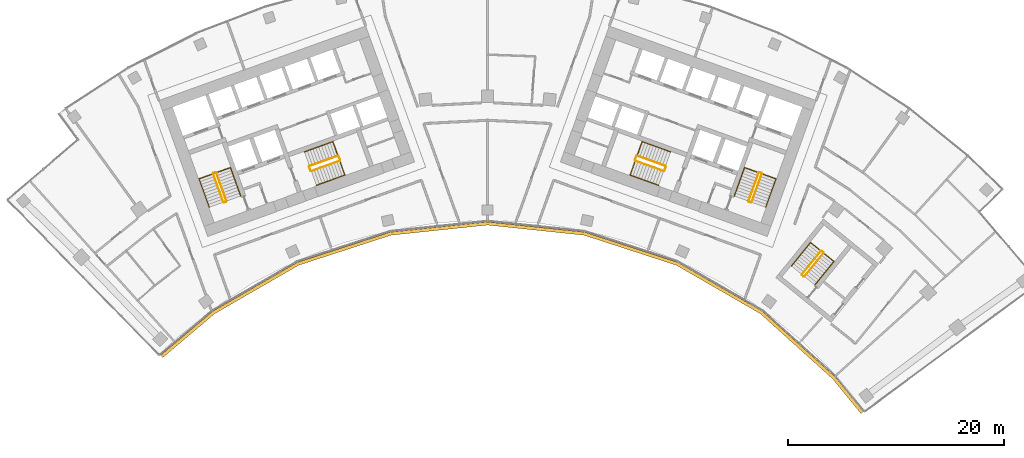
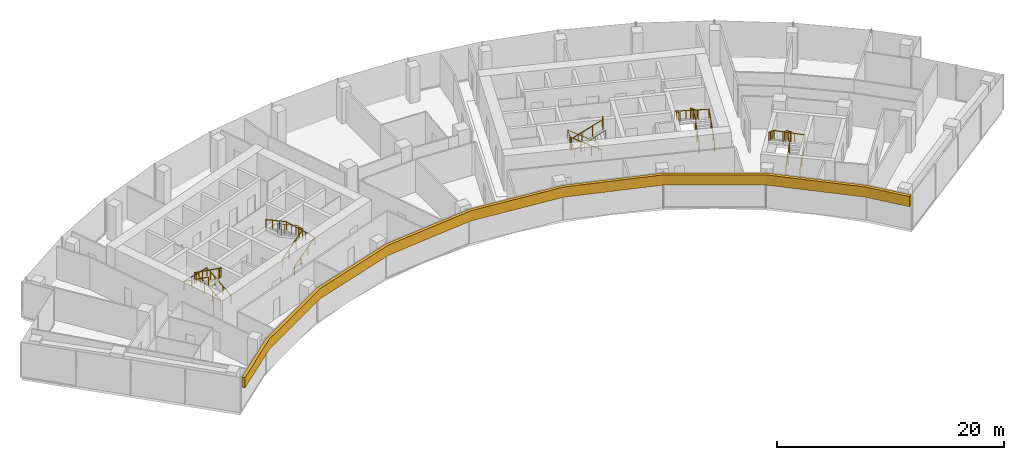
# One storey, part 18 of 18: 15 railings, 1 covering.
"""IFC4 building model written with IfcOpenShell, lengths in metres."""

from ifc_helpers import new_model, si_unit, direction, frame, origin, origin_2d, place, context, subcontext, project, spatial, polyline, circle, outline, extrude, material, layer, layer_set, type_object, element, save


model = new_model("IFC4")

# Units and contexts
model_context = context("Model", 3, precision=1e-05, world=origin(), true_north=direction((0.0, 1.0)))
body_context = subcontext(model_context, "Body", "Model", "MODEL_VIEW")
ifc_project = project(units=[si_unit("LENGTHUNIT", "METRE"), si_unit("AREAUNIT", "SQUARE_METRE"), si_unit("VOLUMEUNIT", "CUBIC_METRE"), si_unit("PLANEANGLEUNIT", "RADIAN"), si_unit("MASSUNIT", "GRAM", prefix="KILO")], contexts=[model_context])

# Site, building, storey
site_placement = place(None, origin())
site = spatial("IfcSite", under=ifc_project, at=site_placement, CompositionType="ELEMENT")
building_placement = place(site_placement, origin())
building = spatial("IfcBuilding", under=site, at=building_placement, Name="Stone Belt Terrace Tower", CompositionType="ELEMENT")
storey_placement = place(building_placement, frame((0.0, 0.0, 220.0)))
storey = spatial("IfcBuildingStorey", under=building, at=storey_placement, Name="L53", CompositionType="ELEMENT", Elevation=220.0)

# Railings
ifc_material_1 = material(Name="Structural steel C345", Category="steel")
railing_type_1 = type_object("IfcRailingType", Name="Stair guard 1100", PredefinedType="GUARDRAIL", material=ifc_material_1)
railing_1_placement = place(storey_placement, frame((-24.2119140625, 45.276123046875, 0.172607421875)))
element("IfcRailing", 1, at=railing_1_placement, inside=storey, type_object=railing_type_1, Name="L53 ST1A stair guard 1", PredefinedType="GUARDRAIL", context=body_context, shape_type="SweptSolid", body=[
    extrude(circle(Radius=0.02392578125, at=origin_2d()), frame((0.0, 0.0, 1.076171875), z_axis=(-0.288228637646, 0.800791768495, 0.525030280985), x_axis=(-0.940908529223, -0.338660803216, 0.0)), (0.0, 0.0, 1.0), 3.289794921875),
    extrude(circle(Radius=0.02392578125, at=origin_2d()), frame((-0.9482421875, 2.634521484375, 2.80322265625), z_axis=(-0.905209821074, 0.424964916, 0.0), x_axis=(-0.424964916, -0.905209821074, 0.0)), (0.0, 0.0, 1.0), 0.070556640625),
    extrude(circle(Radius=0.02392578125, at=origin_2d()), frame((-1.01220703125, 2.66455078125, 2.80322265625), z_axis=(-0.941105063269, -0.338114270461, 0.0), x_axis=(0.338114270461, -0.941105063269, 0.0)), (0.0, 0.0, 1.0), 0.199951171875),
    extrude(circle(Radius=0.02099609375, at=origin_2d()), origin(), (0.0, 0.0, 1.0), 1.052001953125),
    extrude(circle(Radius=0.02099609375, at=origin_2d()), frame((-0.316162109375, 0.878173828125, 0.57568359375)), (0.0, 0.0, 1.0), 1.052001953125),
    extrude(circle(Radius=0.02099609375, at=origin_2d()), frame((-0.632080078125, 1.75634765625, 1.151611328125)), (0.0, 0.0, 1.0), 1.052001953125),
    extrude(circle(Radius=0.02099609375, at=origin_2d()), frame((-0.9482421875, 2.634521484375, 1.727294921875)), (0.0, 0.0, 1.0), 1.052001953125),
    extrude(circle(Radius=0.02099609375, at=origin_2d()), frame((-1.01220703125, 2.66455078125, 1.727294921875)), (0.0, 0.0, 1.0), 1.052001953125),
    extrude(circle(Radius=0.02099609375, at=origin_2d()), frame((-1.200439453125, 2.596923828125, 1.727294921875)), (0.0, 0.0, 1.0), 1.052001953125),
])
railing_2_placement = place(storey_placement, frame((-25.4423828125, 47.80908203125, 2.07275390625)))
element("IfcRailing", 2, at=railing_2_placement, inside=storey, type_object=railing_type_1, Name="L53 ST1A stair guard 2", PredefinedType="GUARDRAIL", context=body_context, shape_type="SweptSolid", body=[
    extrude(circle(Radius=0.02392578125, at=origin_2d()), frame((0.0, 0.0, 1.076171875), z_axis=(0.288228637646, -0.800791768495, 0.525030280985), x_axis=(0.940908529223, 0.338660803216, 0.0)), (0.0, 0.0, 1.0), 3.289794921875),
    extrude(circle(Radius=0.02392578125, at=origin_2d()), frame((0.9482421875, -2.634521484375, 2.80322265625), z_axis=(0.903878284585, -0.427789722475, 0.0), x_axis=(0.427789722475, 0.903878284585, 0.0)), (0.0, 0.0, 1.0), 0.07080078125),
    extrude(circle(Radius=0.02392578125, at=origin_2d()), frame((1.01220703125, -2.664794921875, 2.80322265625), z_axis=(0.940575576748, 0.339584429008, 0.0), x_axis=(-0.339584429008, 0.940575576748, 0.0)), (0.0, 0.0, 1.0), 0.199951171875),
    extrude(circle(Radius=0.02099609375, at=origin_2d()), origin(), (0.0, 0.0, 1.0), 1.052001953125),
    extrude(circle(Radius=0.02099609375, at=origin_2d()), frame((0.316162109375, -0.878173828125, 0.57568359375)), (0.0, 0.0, 1.0), 1.052001953125),
    extrude(circle(Radius=0.02099609375, at=origin_2d()), frame((0.632080078125, -1.75634765625, 1.151611328125)), (0.0, 0.0, 1.0), 1.052001953125),
    extrude(circle(Radius=0.02099609375, at=origin_2d()), frame((0.9482421875, -2.634521484375, 1.727294921875)), (0.0, 0.0, 1.0), 1.052001953125),
    extrude(circle(Radius=0.02099609375, at=origin_2d()), frame((1.01220703125, -2.664794921875, 1.727294921875)), (0.0, 0.0, 1.0), 1.052001953125),
    extrude(circle(Radius=0.02099609375, at=origin_2d()), frame((1.2001953125, -2.596923828125, 1.727294921875)), (0.0, 0.0, 1.0), 1.052001953125),
])
railing_3_placement = place(storey_placement, frame((-16.33837890625, 48.056640625, 0.172607421875)))
element("IfcRailing", 3, at=railing_3_placement, inside=storey, type_object=railing_type_1, Name="L53 ST2A stair guard 1", PredefinedType="GUARDRAIL", context=body_context, shape_type="SweptSolid", body=[
    extrude(circle(Radius=0.02392578125, at=origin_2d()), frame((0.0, 0.0, 1.076171875), z_axis=(0.800808895155, 0.288160591223, 0.52504150989), x_axis=(-0.338583606334, 0.940936311087, 0.0)), (0.0, 0.0, 1.0), 3.289794921875),
    extrude(circle(Radius=0.02392578125, at=origin_2d()), frame((2.634521484375, 0.947998046875, 2.80322265625), z_axis=(0.427789722475, 0.903878284585, 0.0), x_axis=(-0.903878284585, 0.427789722475, 0.0)), (0.0, 0.0, 1.0), 0.07080078125),
    extrude(circle(Radius=0.02392578125, at=origin_2d()), frame((2.664794921875, 1.011962890625, 2.80322265625), z_axis=(-0.338654645739, 0.940910745459, 0.0), x_axis=(-0.940910745459, -0.338654645739, 0.0)), (0.0, 0.0, 1.0), 0.400146484375),
    extrude(circle(Radius=0.02099609375, at=origin_2d()), origin(), (0.0, 0.0, 1.0), 1.052001953125),
    extrude(circle(Radius=0.02099609375, at=origin_2d()), frame((0.878173828125, 0.31591796875, 0.57568359375)), (0.0, 0.0, 1.0), 1.052001953125),
    extrude(circle(Radius=0.02099609375, at=origin_2d()), frame((1.75634765625, 0.632080078125, 1.151611328125)), (0.0, 0.0, 1.0), 1.052001953125),
    extrude(circle(Radius=0.02099609375, at=origin_2d()), frame((2.634521484375, 0.947998046875, 1.727294921875)), (0.0, 0.0, 1.0), 1.052001953125),
    extrude(circle(Radius=0.02099609375, at=origin_2d()), frame((2.664794921875, 1.011962890625, 1.727294921875)), (0.0, 0.0, 1.0), 1.052001953125),
    extrude(circle(Radius=0.02099609375, at=origin_2d()), frame((2.529296875, 1.388427734375, 1.727294921875)), (0.0, 0.0, 1.0), 1.052001953125),
])
railing_4_placement = place(storey_placement, frame((-13.873046875, 49.47509765625, 2.07275390625)))
element("IfcRailing", 4, at=railing_4_placement, inside=storey, type_object=railing_type_1, Name="L53 ST2A stair guard 2", PredefinedType="GUARDRAIL", context=body_context, shape_type="SweptSolid", body=[
    extrude(circle(Radius=0.02392578125, at=origin_2d()), frame((0.0, 0.0, 1.076171875), z_axis=(-0.800808895155, -0.288160591223, 0.52504150989), x_axis=(0.338583606334, -0.940936311087, 0.0)), (0.0, 0.0, 1.0), 3.289794921875),
    extrude(circle(Radius=0.02392578125, at=origin_2d()), frame((-2.634521484375, -0.947998046875, 2.80322265625), z_axis=(-0.427789722475, -0.903878284585, 0.0), x_axis=(0.903878284585, -0.427789722475, 0.0)), (0.0, 0.0, 1.0), 0.07080078125),
    extrude(circle(Radius=0.02392578125, at=origin_2d()), frame((-2.664794921875, -1.011962890625, 2.80322265625), z_axis=(0.338654645739, -0.940910745459, 0.0), x_axis=(0.940910745459, 0.338654645739, 0.0)), (0.0, 0.0, 1.0), 0.400146484375),
    extrude(circle(Radius=0.02099609375, at=origin_2d()), origin(), (0.0, 0.0, 1.0), 1.052001953125),
    extrude(circle(Radius=0.02099609375, at=origin_2d()), frame((-0.878173828125, -0.31591796875, 0.57568359375)), (0.0, 0.0, 1.0), 1.052001953125),
    extrude(circle(Radius=0.02099609375, at=origin_2d()), frame((-1.75634765625, -0.632080078125, 1.151611328125)), (0.0, 0.0, 1.0), 1.052001953125),
    extrude(circle(Radius=0.02099609375, at=origin_2d()), frame((-2.634521484375, -0.947998046875, 1.727294921875)), (0.0, 0.0, 1.0), 1.052001953125),
    extrude(circle(Radius=0.02099609375, at=origin_2d()), frame((-2.664794921875, -1.011962890625, 1.727294921875)), (0.0, 0.0, 1.0), 1.052001953125),
    extrude(circle(Radius=0.02099609375, at=origin_2d()), frame((-2.529296875, -1.388427734375, 1.727294921875)), (0.0, 0.0, 1.0), 1.052001953125),
])
railing_5_placement = place(storey_placement, frame((24.494140625, 45.174560546875, 0.172607421875)))
element("IfcRailing", 5, at=railing_5_placement, inside=storey, type_object=railing_type_1, Name="L53 ST1B stair guard 1", PredefinedType="GUARDRAIL", context=body_context, shape_type="SweptSolid", body=[
    extrude(circle(Radius=0.02392578125, at=origin_2d()), frame((0.0, 0.0, 1.076171875), z_axis=(0.288228637646, 0.800791768495, 0.525030280985), x_axis=(-0.940908529223, 0.338660803216, 0.0)), (0.0, 0.0, 1.0), 3.289794921875),
    extrude(circle(Radius=0.02392578125, at=origin_2d()), frame((0.9482421875, 2.634521484375, 2.80322265625), z_axis=(-0.424964916, 0.905209821074, 0.0), x_axis=(-0.905209821074, -0.424964916, 0.0)), (0.0, 0.0, 1.0), 0.070556640625),
    extrude(circle(Radius=0.02392578125, at=origin_2d()), frame((0.918212890625, 2.698486328125, 2.80322265625), z_axis=(-0.941105063269, 0.338114270461, 0.0), x_axis=(-0.338114270461, -0.941105063269, 0.0)), (0.0, 0.0, 1.0), 0.199951171875),
    extrude(circle(Radius=0.02099609375, at=origin_2d()), origin(), (0.0, 0.0, 1.0), 1.052001953125),
    extrude(circle(Radius=0.02099609375, at=origin_2d()), frame((0.316162109375, 0.878173828125, 0.57568359375)), (0.0, 0.0, 1.0), 1.052001953125),
    extrude(circle(Radius=0.02099609375, at=origin_2d()), frame((0.632080078125, 1.75634765625, 1.151611328125)), (0.0, 0.0, 1.0), 1.052001953125),
    extrude(circle(Radius=0.02099609375, at=origin_2d()), frame((0.9482421875, 2.634521484375, 1.727294921875)), (0.0, 0.0, 1.0), 1.052001953125),
    extrude(circle(Radius=0.02099609375, at=origin_2d()), frame((0.918212890625, 2.698486328125, 1.727294921875)), (0.0, 0.0, 1.0), 1.052001953125),
    extrude(circle(Radius=0.02099609375, at=origin_2d()), frame((0.72998046875, 2.76611328125, 1.727294921875)), (0.0, 0.0, 1.0), 1.052001953125),
])
railing_6_placement = place(storey_placement, frame((25.16015625, 47.91064453125, 2.07275390625)))
element("IfcRailing", 6, at=railing_6_placement, inside=storey, type_object=railing_type_1, Name="L53 ST1B stair guard 2", PredefinedType="GUARDRAIL", context=body_context, shape_type="SweptSolid", body=[
    extrude(circle(Radius=0.02392578125, at=origin_2d()), frame((0.0, 0.0, 1.076171875), z_axis=(-0.288228637646, -0.800791768495, 0.525030280985), x_axis=(0.940908529223, -0.338660803216, 0.0)), (0.0, 0.0, 1.0), 3.289794921875),
    extrude(circle(Radius=0.02392578125, at=origin_2d()), frame((-0.9482421875, -2.634521484375, 2.80322265625), z_axis=(0.427789722475, -0.903878284585, 0.0), x_axis=(0.903878284585, 0.427789722475, 0.0)), (0.0, 0.0, 1.0), 0.07080078125),
    extrude(circle(Radius=0.02392578125, at=origin_2d()), frame((-0.91796875, -2.698486328125, 2.80322265625), z_axis=(0.940575576748, -0.339584429008, 0.0), x_axis=(0.339584429008, 0.940575576748, 0.0)), (0.0, 0.0, 1.0), 0.199951171875),
    extrude(circle(Radius=0.02099609375, at=origin_2d()), origin(), (0.0, 0.0, 1.0), 1.052001953125),
    extrude(circle(Radius=0.02099609375, at=origin_2d()), frame((-0.316162109375, -0.878173828125, 0.57568359375)), (0.0, 0.0, 1.0), 1.052001953125),
    extrude(circle(Radius=0.02099609375, at=origin_2d()), frame((-0.632080078125, -1.75634765625, 1.151611328125)), (0.0, 0.0, 1.0), 1.052001953125),
    extrude(circle(Radius=0.02099609375, at=origin_2d()), frame((-0.9482421875, -2.634521484375, 1.727294921875)), (0.0, 0.0, 1.0), 1.052001953125),
    extrude(circle(Radius=0.02099609375, at=origin_2d()), frame((-0.91796875, -2.698486328125, 1.727294921875)), (0.0, 0.0, 1.0), 1.052001953125),
    extrude(circle(Radius=0.02099609375, at=origin_2d()), frame((-0.72998046875, -2.766357421875, 1.727294921875)), (0.0, 0.0, 1.0), 1.052001953125),
])
railing_7_placement = place(storey_placement, frame((16.507568359375, 48.527099609375, 0.172607421875)))
element("IfcRailing", 7, at=railing_7_placement, inside=storey, type_object=railing_type_1, Name="L53 ST2B stair guard 1", PredefinedType="GUARDRAIL", context=body_context, shape_type="SweptSolid", body=[
    extrude(circle(Radius=0.02392578125, at=origin_2d()), frame((0.0, 0.0, 1.076171875), z_axis=(-0.800808895155, 0.288160591223, 0.52504150989), x_axis=(-0.338583606334, -0.940936311087, 0.0)), (0.0, 0.0, 1.0), 3.289794921875),
    extrude(circle(Radius=0.02392578125, at=origin_2d()), frame((-2.634521484375, 0.947998046875, 2.80322265625), z_axis=(-0.905209821074, -0.424964916, 0.0), x_axis=(0.424964916, -0.905209821074, 0.0)), (0.0, 0.0, 1.0), 0.070556640625),
    extrude(circle(Radius=0.02392578125, at=origin_2d()), frame((-2.698486328125, 0.91796875, 2.80322265625), z_axis=(-0.338654645739, -0.940910745459, 0.0), x_axis=(0.940910745459, -0.338654645739, 0.0)), (0.0, 0.0, 1.0), 0.400146484375),
    extrude(circle(Radius=0.02099609375, at=origin_2d()), origin(), (0.0, 0.0, 1.0), 1.052001953125),
    extrude(circle(Radius=0.02099609375, at=origin_2d()), frame((-0.878173828125, 0.31591796875, 0.57568359375)), (0.0, 0.0, 1.0), 1.052001953125),
    extrude(circle(Radius=0.02099609375, at=origin_2d()), frame((-1.75634765625, 0.632080078125, 1.151611328125)), (0.0, 0.0, 1.0), 1.052001953125),
    extrude(circle(Radius=0.02099609375, at=origin_2d()), frame((-2.634521484375, 0.947998046875, 1.727294921875)), (0.0, 0.0, 1.0), 1.052001953125),
    extrude(circle(Radius=0.02099609375, at=origin_2d()), frame((-2.698486328125, 0.91796875, 1.727294921875)), (0.0, 0.0, 1.0), 1.052001953125),
    extrude(circle(Radius=0.02099609375, at=origin_2d()), frame((-2.833984375, 0.54150390625, 1.727294921875)), (0.0, 0.0, 1.0), 1.052001953125),
])
railing_8_placement = place(storey_placement, frame((13.703857421875, 49.004638671875, 2.07275390625)))
element("IfcRailing", 8, at=railing_8_placement, inside=storey, type_object=railing_type_1, Name="L53 ST2B stair guard 2", PredefinedType="GUARDRAIL", context=body_context, shape_type="SweptSolid", body=[
    extrude(circle(Radius=0.02392578125, at=origin_2d()), frame((0.0, 0.0, 1.076171875), z_axis=(0.800808895155, -0.288160591223, 0.52504150989), x_axis=(0.338583606334, 0.940936311087, 0.0)), (0.0, 0.0, 1.0), 3.289794921875),
    extrude(circle(Radius=0.02392578125, at=origin_2d()), frame((2.634521484375, -0.947998046875, 2.80322265625), z_axis=(0.905209821074, 0.424964916, 0.0), x_axis=(-0.424964916, 0.905209821074, 0.0)), (0.0, 0.0, 1.0), 0.070556640625),
    extrude(circle(Radius=0.02392578125, at=origin_2d()), frame((2.698486328125, -0.91796875, 2.80322265625), z_axis=(0.338654645739, 0.940910745459, 0.0), x_axis=(-0.940910745459, 0.338654645739, 0.0)), (0.0, 0.0, 1.0), 0.400146484375),
    extrude(circle(Radius=0.02099609375, at=origin_2d()), origin(), (0.0, 0.0, 1.0), 1.052001953125),
    extrude(circle(Radius=0.02099609375, at=origin_2d()), frame((0.878173828125, -0.31591796875, 0.57568359375)), (0.0, 0.0, 1.0), 1.052001953125),
    extrude(circle(Radius=0.02099609375, at=origin_2d()), frame((1.75634765625, -0.632080078125, 1.151611328125)), (0.0, 0.0, 1.0), 1.052001953125),
    extrude(circle(Radius=0.02099609375, at=origin_2d()), frame((2.634521484375, -0.947998046875, 1.727294921875)), (0.0, 0.0, 1.0), 1.052001953125),
    extrude(circle(Radius=0.02099609375, at=origin_2d()), frame((2.698486328125, -0.91796875, 1.727294921875)), (0.0, 0.0, 1.0), 1.052001953125),
    extrude(circle(Radius=0.02099609375, at=origin_2d()), frame((2.833984375, -0.54150390625, 1.727294921875)), (0.0, 0.0, 1.0), 1.052001953125),
])
railing_9_placement = place(storey_placement, frame((29.39794921875, 38.281982421875, 0.172607421875)))
element("IfcRailing", 9, at=railing_9_placement, inside=storey, type_object=railing_type_1, Name="L53 ST3B stair guard 1", PredefinedType="GUARDRAIL", context=body_context, shape_type="SweptSolid", body=[
    extrude(circle(Radius=0.02392578125, at=origin_2d()), frame((0.0, 0.0, 1.076171875), z_axis=(0.536393061503, 0.660769759217, 0.525038864158), x_axis=(-0.776391310223, 0.630251166924, 0.0)), (0.0, 0.0, 1.0), 3.289794921875),
    extrude(circle(Radius=0.02392578125, at=origin_2d()), frame((1.7646484375, 2.173828125, 2.80322265625), z_axis=(-0.103251414163, 0.994655289773, 0.0), x_axis=(-0.994655289773, -0.103251414163, 0.0)), (0.0, 0.0, 1.0), 0.071044921875),
    extrude(circle(Radius=0.02392578125, at=origin_2d()), frame((1.75732421875, 2.244384765625, 2.80322265625), z_axis=(-0.776561986372, 0.630040856868, 0.0), x_axis=(-0.630040856868, -0.776561986372, 0.0)), (0.0, 0.0, 1.0), 0.199951171875),
    extrude(circle(Radius=0.02099609375, at=origin_2d()), origin(), (0.0, 0.0, 1.0), 1.052001953125),
    extrude(circle(Radius=0.02099609375, at=origin_2d()), frame((0.588134765625, 0.724609375, 0.57568359375)), (0.0, 0.0, 1.0), 1.052001953125),
    extrude(circle(Radius=0.02099609375, at=origin_2d()), frame((1.176513671875, 1.44921875, 1.151611328125)), (0.0, 0.0, 1.0), 1.052001953125),
    extrude(circle(Radius=0.02099609375, at=origin_2d()), frame((1.7646484375, 2.173828125, 1.727294921875)), (0.0, 0.0, 1.0), 1.052001953125),
    extrude(circle(Radius=0.02099609375, at=origin_2d()), frame((1.75732421875, 2.244384765625, 1.727294921875)), (0.0, 0.0, 1.0), 1.052001953125),
    extrude(circle(Radius=0.02099609375, at=origin_2d()), frame((1.60205078125, 2.370361328125, 1.727294921875)), (0.0, 0.0, 1.0), 1.052001953125),
])
railing_10_placement = place(storey_placement, frame((30.9296875, 40.64501953125, 2.07275390625)))
element("IfcRailing", 10, at=railing_10_placement, inside=storey, type_object=railing_type_1, Name="L53 ST3B stair guard 2", PredefinedType="GUARDRAIL", context=body_context, shape_type="SweptSolid", body=[
    extrude(circle(Radius=0.02392578125, at=origin_2d()), frame((0.0, 0.0, 1.076171875), z_axis=(-0.536366759382, -0.660811565066, 0.525013118792), x_axis=(0.776425942316, -0.630208502084, 0.0)), (0.0, 0.0, 1.0), 3.2900390625),
    extrude(circle(Radius=0.02392578125, at=origin_2d()), frame((-1.7646484375, -2.174072265625, 2.80322265625), z_axis=(0.103606084259, -0.994618408891, 0.0), x_axis=(0.994618408891, 0.103606084259, 0.0)), (0.0, 0.0, 1.0), 0.07080078125),
    extrude(circle(Radius=0.02392578125, at=origin_2d()), frame((-1.75732421875, -2.244384765625, 2.80322265625), z_axis=(0.776561986372, -0.630040856868, 0.0), x_axis=(0.630040856868, 0.776561986372, 0.0)), (0.0, 0.0, 1.0), 0.199951171875),
    extrude(circle(Radius=0.02099609375, at=origin_2d()), origin(), (0.0, 0.0, 1.0), 1.052001953125),
    extrude(circle(Radius=0.02099609375, at=origin_2d()), frame((-0.588134765625, -0.724609375, 0.57568359375)), (0.0, 0.0, 1.0), 1.052001953125),
    extrude(circle(Radius=0.02099609375, at=origin_2d()), frame((-1.176513671875, -1.449462890625, 1.151611328125)), (0.0, 0.0, 1.0), 1.052001953125),
    extrude(circle(Radius=0.02099609375, at=origin_2d()), frame((-1.7646484375, -2.174072265625, 1.727294921875)), (0.0, 0.0, 1.0), 1.052001953125),
    extrude(circle(Radius=0.02099609375, at=origin_2d()), frame((-1.75732421875, -2.244384765625, 1.727294921875)), (0.0, 0.0, 1.0), 1.052001953125),
    extrude(circle(Radius=0.02099609375, at=origin_2d()), frame((-1.60205078125, -2.370361328125, 1.727294921875)), (0.0, 0.0, 1.0), 1.052001953125),
])
railing_type_2 = type_object("IfcRailingType", Name="Stair handrail 900", PredefinedType="HANDRAIL", material=ifc_material_1)
railing_11_placement = place(storey_placement, frame((-22.894775390625, 45.750244140625, 0.172607421875)))
element("IfcRailing", 11, at=railing_11_placement, inside=storey, type_object=railing_type_2, Name="L53 ST1A stair handrail 1", PredefinedType="HANDRAIL", context=body_context, shape_type="SweptSolid", body=[
    extrude(circle(Radius=0.02392578125, at=origin_2d()), frame((0.0, 0.0, 0.8759765625), z_axis=(-0.288160591223, 0.800808895155, 0.52504150989), x_axis=(-0.940936311087, -0.338583606334, 0.0)), (0.0, 0.0, 1.0), 3.289794921875),
    extrude(circle(Radius=0.02392578125, at=origin_2d()), frame((-0.947998046875, 2.634521484375, 2.60302734375), z_axis=(-0.939460408074, -0.338105101667, 0.055669398135), x_axis=(0.338630230244, -0.940919532779, 0.0)), (0.0, 0.0, 1.0), 3.10498046875),
    extrude(circle(Radius=0.02392578125, at=origin_2d()), frame((-3.864990234375, 1.584716796875, 2.77587890625), z_axis=(0.288228637646, -0.800791768495, 0.525030280985), x_axis=(0.940908529223, 0.338660803216, 0.0)), (0.0, 0.0, 1.0), 3.289794921875),
    extrude(circle(Radius=0.02099609375, at=origin_2d()), origin(), (0.0, 0.0, 1.0), 0.851806640625),
    extrude(circle(Radius=0.02099609375, at=origin_2d()), frame((-0.31591796875, 0.878173828125, 0.57568359375)), (0.0, 0.0, 1.0), 0.851806640625),
    extrude(circle(Radius=0.02099609375, at=origin_2d()), frame((-0.632080078125, 1.75634765625, 1.151611328125)), (0.0, 0.0, 1.0), 0.851806640625),
    extrude(circle(Radius=0.02099609375, at=origin_2d()), frame((-0.947998046875, 2.634521484375, 1.727294921875)), (0.0, 0.0, 1.0), 0.851806640625),
    extrude(circle(Radius=0.02099609375, at=origin_2d()), frame((-1.92041015625, 2.28466796875, 1.784912109375)), (0.0, 0.0, 1.0), 0.851806640625),
    extrude(circle(Radius=0.02099609375, at=origin_2d()), frame((-2.892578125, 1.9345703125, 1.842529296875)), (0.0, 0.0, 1.0), 0.851806640625),
    extrude(circle(Radius=0.02099609375, at=origin_2d()), frame((-3.864990234375, 1.584716796875, 1.900146484375)), (0.0, 0.0, 1.0), 0.851806640625),
    extrude(circle(Radius=0.02099609375, at=origin_2d()), frame((-3.548828125, 0.70654296875, 2.475830078125)), (0.0, 0.0, 1.0), 0.851806640625),
    extrude(circle(Radius=0.02099609375, at=origin_2d()), frame((-3.23291015625, -0.171630859375, 3.0517578125)), (0.0, 0.0, 1.0), 0.851806640625),
    extrude(circle(Radius=0.02099609375, at=origin_2d()), frame((-2.916748046875, -1.0498046875, 3.62744140625)), (0.0, 0.0, 1.0), 0.851806640625),
])
railing_12_placement = place(storey_placement, frame((-15.8642578125, 46.7392578125, 0.172607421875)))
element("IfcRailing", 12, at=railing_12_placement, inside=storey, type_object=railing_type_2, Name="L53 ST2A stair handrail 1", PredefinedType="HANDRAIL", context=body_context, shape_type="SweptSolid", body=[
    extrude(circle(Radius=0.02392578125, at=origin_2d()), frame((0.0, 0.0, 0.8759765625), z_axis=(0.800791768495, 0.288228637646, 0.525030280985), x_axis=(-0.338660803216, 0.940908529223, 0.0)), (0.0, 0.0, 1.0), 3.289794921875),
    extrude(circle(Radius=0.02392578125, at=origin_2d()), frame((2.634521484375, 0.9482421875, 2.60302734375), z_axis=(-0.338158948057, 0.939634149308, 0.052308615955), x_axis=(-0.940922302781, -0.338622533404, 0.0)), (0.0, 0.0, 1.0), 3.304443359375),
    extrude(circle(Radius=0.02392578125, at=origin_2d()), frame((1.51708984375, 4.05322265625, 2.77587890625), z_axis=(-0.800791768495, -0.288228637646, 0.525030280985), x_axis=(0.338660803216, -0.940908529223, 0.0)), (0.0, 0.0, 1.0), 3.289794921875),
    extrude(circle(Radius=0.02099609375, at=origin_2d()), origin(), (0.0, 0.0, 1.0), 0.851806640625),
    extrude(circle(Radius=0.02099609375, at=origin_2d()), frame((0.878173828125, 0.316162109375, 0.57568359375)), (0.0, 0.0, 1.0), 0.851806640625),
    extrude(circle(Radius=0.02099609375, at=origin_2d()), frame((1.75634765625, 0.632080078125, 1.151611328125)), (0.0, 0.0, 1.0), 0.851806640625),
    extrude(circle(Radius=0.02099609375, at=origin_2d()), frame((2.634521484375, 0.9482421875, 1.727294921875)), (0.0, 0.0, 1.0), 0.851806640625),
    extrude(circle(Radius=0.02099609375, at=origin_2d()), frame((2.261962890625, 1.983154296875, 1.784912109375)), (0.0, 0.0, 1.0), 0.851806640625),
    extrude(circle(Radius=0.02099609375, at=origin_2d()), frame((1.8896484375, 3.018310546875, 1.842529296875)), (0.0, 0.0, 1.0), 0.851806640625),
    extrude(circle(Radius=0.02099609375, at=origin_2d()), frame((1.51708984375, 4.05322265625, 1.900146484375)), (0.0, 0.0, 1.0), 0.851806640625),
    extrude(circle(Radius=0.02099609375, at=origin_2d()), frame((0.638916015625, 3.737060546875, 2.475830078125)), (0.0, 0.0, 1.0), 0.851806640625),
    extrude(circle(Radius=0.02099609375, at=origin_2d()), frame((-0.2392578125, 3.421142578125, 3.0517578125)), (0.0, 0.0, 1.0), 0.851806640625),
    extrude(circle(Radius=0.02099609375, at=origin_2d()), frame((-1.117431640625, 3.10498046875, 3.62744140625)), (0.0, 0.0, 1.0), 0.851806640625),
])
railing_13_placement = place(storey_placement, frame((25.8115234375, 44.700439453125, 0.172607421875)))
element("IfcRailing", 13, at=railing_13_placement, inside=storey, type_object=railing_type_2, Name="L53 ST1B stair handrail 1", PredefinedType="HANDRAIL", context=body_context, shape_type="SweptSolid", body=[
    extrude(circle(Radius=0.02392578125, at=origin_2d()), frame((0.0, 0.0, 0.8759765625), z_axis=(0.288228637646, 0.800791768495, 0.525030280985), x_axis=(-0.940908529223, 0.338660803216, 0.0)), (0.0, 0.0, 1.0), 3.289794921875),
    extrude(circle(Radius=0.02392578125, at=origin_2d()), frame((0.9482421875, 2.634521484375, 2.60302734375), z_axis=(-0.939460408074, 0.338105101667, 0.055669398135), x_axis=(-0.338630230244, -0.940919532779, 0.0)), (0.0, 0.0, 1.0), 3.10498046875),
    extrude(circle(Radius=0.02392578125, at=origin_2d()), frame((-1.96875, 3.684326171875, 2.77587890625), z_axis=(-0.288160591223, -0.800808895155, 0.52504150989), x_axis=(0.940936311087, -0.338583606334, 0.0)), (0.0, 0.0, 1.0), 3.289794921875),
    extrude(circle(Radius=0.02099609375, at=origin_2d()), origin(), (0.0, 0.0, 1.0), 0.851806640625),
    extrude(circle(Radius=0.02099609375, at=origin_2d()), frame((0.316162109375, 0.878173828125, 0.57568359375)), (0.0, 0.0, 1.0), 0.851806640625),
    extrude(circle(Radius=0.02099609375, at=origin_2d()), frame((0.632080078125, 1.75634765625, 1.151611328125)), (0.0, 0.0, 1.0), 0.851806640625),
    extrude(circle(Radius=0.02099609375, at=origin_2d()), frame((0.9482421875, 2.634521484375, 1.727294921875)), (0.0, 0.0, 1.0), 0.851806640625),
    extrude(circle(Radius=0.02099609375, at=origin_2d()), frame((-0.024169921875, 2.984375, 1.784912109375)), (0.0, 0.0, 1.0), 0.851806640625),
    extrude(circle(Radius=0.02099609375, at=origin_2d()), frame((-0.996337890625, 3.33447265625, 1.842529296875)), (0.0, 0.0, 1.0), 0.851806640625),
    extrude(circle(Radius=0.02099609375, at=origin_2d()), frame((-1.96875, 3.684326171875, 1.900146484375)), (0.0, 0.0, 1.0), 0.851806640625),
    extrude(circle(Radius=0.02099609375, at=origin_2d()), frame((-2.28466796875, 2.80615234375, 2.475830078125)), (0.0, 0.0, 1.0), 0.851806640625),
    extrude(circle(Radius=0.02099609375, at=origin_2d()), frame((-2.600830078125, 1.927978515625, 3.0517578125)), (0.0, 0.0, 1.0), 0.851806640625),
    extrude(circle(Radius=0.02099609375, at=origin_2d()), frame((-2.916748046875, 1.0498046875, 3.62744140625)), (0.0, 0.0, 1.0), 0.851806640625),
])
railing_14_placement = place(storey_placement, frame((16.981689453125, 49.84423828125, 0.172607421875)))
element("IfcRailing", 14, at=railing_14_placement, inside=storey, type_object=railing_type_2, Name="L53 ST2B stair handrail 1", PredefinedType="HANDRAIL", context=body_context, shape_type="SweptSolid", body=[
    extrude(circle(Radius=0.02392578125, at=origin_2d()), frame((0.0, 0.0, 0.8759765625), z_axis=(-0.800791768495, 0.288228637646, 0.525030280985), x_axis=(-0.338660803216, -0.940908529223, 0.0)), (0.0, 0.0, 1.0), 3.289794921875),
    extrude(circle(Radius=0.02392578125, at=origin_2d()), frame((-2.634521484375, 0.9482421875, 2.60302734375), z_axis=(-0.338158948057, -0.939634149308, 0.052308615955), x_axis=(0.940922302781, -0.338622533404, 0.0)), (0.0, 0.0, 1.0), 3.304443359375),
    extrude(circle(Radius=0.02392578125, at=origin_2d()), frame((-3.751953125, -2.15673828125, 2.77587890625), z_axis=(0.800791768495, -0.288228637646, 0.525030280985), x_axis=(0.338660803216, 0.940908529223, 0.0)), (0.0, 0.0, 1.0), 3.289794921875),
    extrude(circle(Radius=0.02099609375, at=origin_2d()), origin(), (0.0, 0.0, 1.0), 0.851806640625),
    extrude(circle(Radius=0.02099609375, at=origin_2d()), frame((-0.878173828125, 0.316162109375, 0.57568359375)), (0.0, 0.0, 1.0), 0.851806640625),
    extrude(circle(Radius=0.02099609375, at=origin_2d()), frame((-1.75634765625, 0.632080078125, 1.151611328125)), (0.0, 0.0, 1.0), 0.851806640625),
    extrude(circle(Radius=0.02099609375, at=origin_2d()), frame((-2.634521484375, 0.9482421875, 1.727294921875)), (0.0, 0.0, 1.0), 0.851806640625),
    extrude(circle(Radius=0.02099609375, at=origin_2d()), frame((-3.007080078125, -0.086669921875, 1.784912109375)), (0.0, 0.0, 1.0), 0.851806640625),
    extrude(circle(Radius=0.02099609375, at=origin_2d()), frame((-3.37939453125, -1.121826171875, 1.842529296875)), (0.0, 0.0, 1.0), 0.851806640625),
    extrude(circle(Radius=0.02099609375, at=origin_2d()), frame((-3.751953125, -2.15673828125, 1.900146484375)), (0.0, 0.0, 1.0), 0.851806640625),
    extrude(circle(Radius=0.02099609375, at=origin_2d()), frame((-2.873779296875, -2.472900390625, 2.475830078125)), (0.0, 0.0, 1.0), 0.851806640625),
    extrude(circle(Radius=0.02099609375, at=origin_2d()), frame((-1.99560546875, -2.788818359375, 3.0517578125)), (0.0, 0.0, 1.0), 0.851806640625),
    extrude(circle(Radius=0.02099609375, at=origin_2d()), frame((-1.117431640625, -3.10498046875, 3.62744140625)), (0.0, 0.0, 1.0), 0.851806640625),
])
railing_15_placement = place(storey_placement, frame((30.36865234375, 37.494140625, 0.172607421875)))
element("IfcRailing", 15, at=railing_15_placement, inside=storey, type_object=railing_type_2, Name="L53 ST3B stair handrail 1", PredefinedType="HANDRAIL", context=body_context, shape_type="SweptSolid", body=[
    extrude(circle(Radius=0.02392578125, at=origin_2d()), frame((0.0, 0.0, 0.8759765625), z_axis=(0.536366759382, 0.660811565066, 0.525013118792), x_axis=(-0.776425942316, 0.630208502084, 0.0)), (0.0, 0.0, 1.0), 3.2900390625),
    extrude(circle(Radius=0.02392578125, at=origin_2d()), frame((1.7646484375, 2.174072265625, 2.60302734375), z_axis=(-0.774950814199, 0.629011171817, 0.061613158501), x_axis=(-0.630208502084, -0.776425942316, 0.0)), (0.0, 0.0, 1.0), 2.805419921875),
    extrude(circle(Radius=0.02392578125, at=origin_2d()), frame((-0.409423828125, 3.938720703125, 2.77587890625), z_axis=(-0.536366759382, -0.660811565066, 0.525013118792), x_axis=(0.776425942316, -0.630208502084, 0.0)), (0.0, 0.0, 1.0), 3.2900390625),
    extrude(circle(Radius=0.02099609375, at=origin_2d()), origin(), (0.0, 0.0, 1.0), 0.851806640625),
    extrude(circle(Radius=0.02099609375, at=origin_2d()), frame((0.588134765625, 0.724609375, 0.57568359375)), (0.0, 0.0, 1.0), 0.851806640625),
    extrude(circle(Radius=0.02099609375, at=origin_2d()), frame((1.176513671875, 1.449462890625, 1.151611328125)), (0.0, 0.0, 1.0), 0.851806640625),
    extrude(circle(Radius=0.02099609375, at=origin_2d()), frame((1.7646484375, 2.174072265625, 1.727294921875)), (0.0, 0.0, 1.0), 0.851806640625),
    extrude(circle(Radius=0.02099609375, at=origin_2d()), frame((1.0400390625, 2.76220703125, 1.784912109375)), (0.0, 0.0, 1.0), 0.851806640625),
    extrude(circle(Radius=0.02099609375, at=origin_2d()), frame((0.315185546875, 3.3505859375, 1.842529296875)), (0.0, 0.0, 1.0), 0.851806640625),
    extrude(circle(Radius=0.02099609375, at=origin_2d()), frame((-0.409423828125, 3.938720703125, 1.900146484375)), (0.0, 0.0, 1.0), 0.851806640625),
    extrude(circle(Radius=0.02099609375, at=origin_2d()), frame((-0.99755859375, 3.214111328125, 2.475830078125)), (0.0, 0.0, 1.0), 0.851806640625),
    extrude(circle(Radius=0.02099609375, at=origin_2d()), frame((-1.5859375, 2.4892578125, 3.0517578125)), (0.0, 0.0, 1.0), 0.851806640625),
    extrude(circle(Radius=0.02099609375, at=origin_2d()), frame((-2.174072265625, 1.7646484375, 3.62744140625)), (0.0, 0.0, 1.0), 0.851806640625),
])

# Covering
ifc_material_2 = material(Name="Terracotta coloured glazed ceramic", Category="masonry")
ifc_layer = layer(ifc_material_2, 0.300048828125)
ifc_layer_set = layer_set([ifc_layer], Name="Terracotta spandrel band 300 x 1100")
covering_type = type_object("IfcCoveringType", Name="Terracotta spandrel band 300 x 1100", PredefinedType="CLADDING", material=ifc_layer_set)
covering_placement = place(storey_placement, frame((0.0, 0.0, 2.699951171875)))
element("IfcCovering", 16, at=covering_placement, inside=storey, type_object=covering_type, Name="BAND L53", PredefinedType="CLADDING", context=body_context, shape_type="SweptSolid", body=[
    extrude(outline(polyline([(-30.32666015625, 30.9765625), (-25.482177734375, 35.069091796875), (-17.631591796875, 39.6015625), (-9.0126953125, 42.40185546875), (0.0, 43.34912109375), (9.0126953125, 42.40185546875), (17.631591796875, 39.6015625), (25.47998046875, 35.0703125), (32.2177734375, 29.00341796875), (34.8720703125, 25.752197265625), (34.6396484375, 25.5625), (32.0, 28.7958984375), (25.302734375, 34.826171875), (17.509033203125, 39.325927734375), (8.9501953125, 42.10693359375), (0.0, 43.047607421875), (-8.9501953125, 42.10693359375), (-17.509033203125, 39.325927734375), (-25.308837890625, 34.822509765625), (-30.133056640625, 30.747314453125), (-30.32666015625, 30.9765625)])), origin(), (0.0, 0.0, 1.0), 1.10009765625),
])

save(model, "model.ifc")
